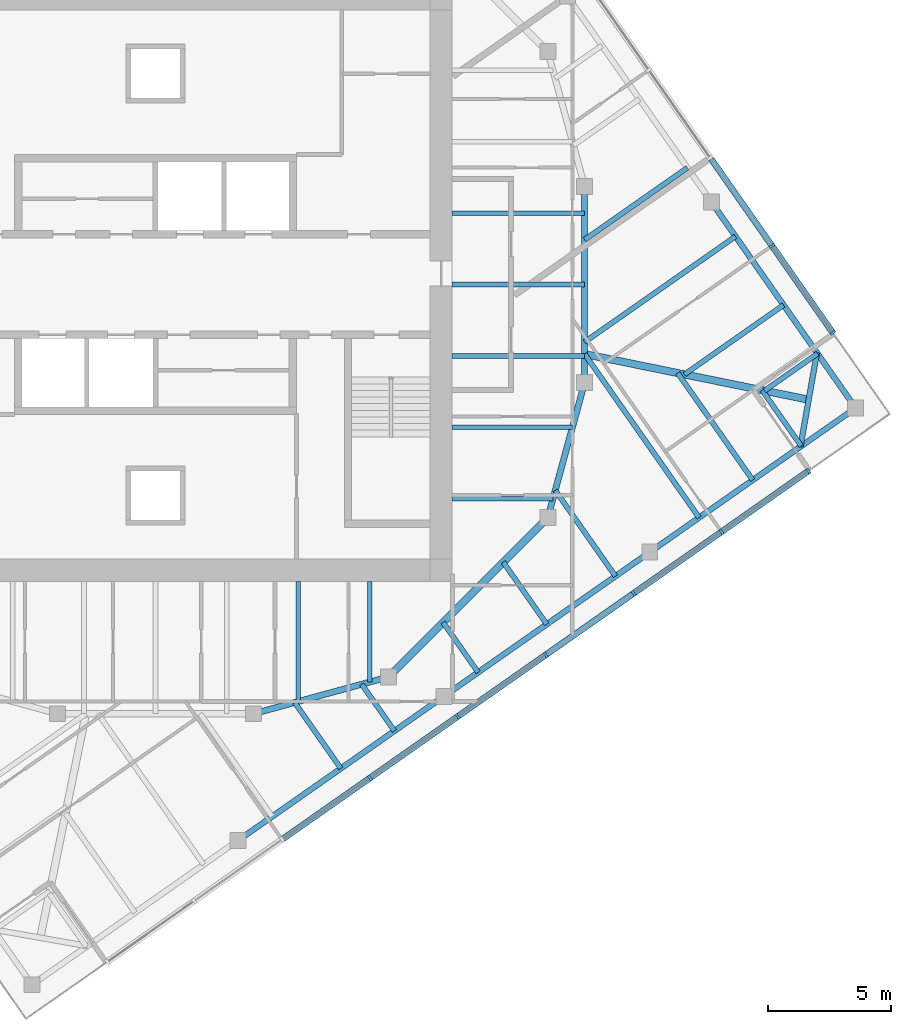
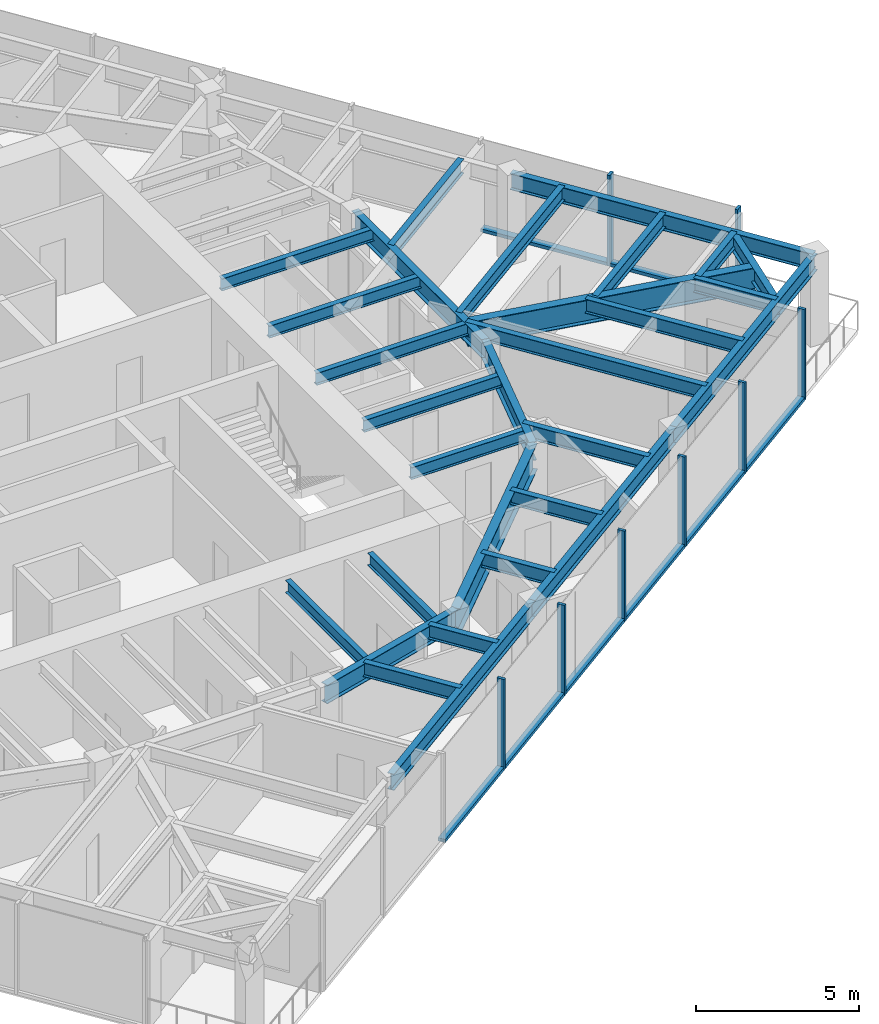
# One storey, part 3 of 12: 29 beams, 16 members, 2 elements without a shape of their own.
"""IFC4 building model written with IfcOpenShell, lengths in metres."""

from ifc_helpers import new_model, si_unit, direction, frame, origin, origin_2d, place, context, subcontext, project, spatial, rectangle, i_section, extrude, material, material_profile, profile_set, type_object, element, aggregate, save


model = new_model("IFC4")

# Units and contexts
model_context = context("Model", 3, precision=1e-05, world=origin(), true_north=direction((0.0, 1.0)))
body_context = subcontext(model_context, "Body", "Model", "MODEL_VIEW")
ifc_project = project(units=[si_unit("LENGTHUNIT", "METRE"), si_unit("AREAUNIT", "SQUARE_METRE"), si_unit("VOLUMEUNIT", "CUBIC_METRE"), si_unit("PLANEANGLEUNIT", "RADIAN"), si_unit("MASSUNIT", "GRAM", prefix="KILO")], contexts=[model_context])

# Site, building, storey
site_placement = place(None, origin())
site = spatial("IfcSite", under=ifc_project, at=site_placement, CompositionType="ELEMENT")
building_placement = place(site_placement, origin())
building = spatial("IfcBuilding", under=site, at=building_placement, Name="Torsade Residences", CompositionType="ELEMENT")
storey_placement = place(building_placement, frame((0.0, 0.0, 247.199951171875)))
storey = spatial("IfcBuildingStorey", under=building, at=storey_placement, Name="L68", CompositionType="ELEMENT", Elevation=247.199951171875)

# Beams
ifc_material_1 = material(Name="Steel grade 300", Category="steel")
ifc_material_profile_1 = material_profile(ifc_material_1, i_section(OverallWidth=0.300048828125, OverallDepth=0.89990234375, WebThickness=0.011962890625, FlangeThickness=0.02490234375, at=origin_2d()), Name="900WB175")
ifc_profile_set_1 = profile_set([ifc_material_profile_1], Name="Steel grade 300")
beam_type_1 = type_object("IfcBeamType", Name="CORNER GIRDER 900WB175", PredefinedType="BEAM", material=ifc_profile_set_1)
beam_1_placement = place(storey_placement, frame((66.635986328125, 25.303466796875, 2.800048828125), z_axis=(-0.979880626756, 0.199584461589, 0.0), x_axis=(-0.199584461589, -0.979880626756, 0.0)))
element("IfcBeam", 1, at=beam_1_placement, inside=storey, type_object=beam_type_1, Name="Corner girder 05 L69", PredefinedType="BEAM", context=body_context, shape_type="SweptSolid", body=[
    extrude(i_section(OverallWidth=0.300048828125, OverallDepth=0.89990234375, WebThickness=0.011962890625, FlangeThickness=0.02490234375, at=origin_2d()), origin(), (0.0, 0.0, 1.0), 9.323486328125),
])
ifc_material_2 = material(Name="Steel grade 300", Category="steel")
ifc_material_profile_2 = material_profile(ifc_material_2, i_section(OverallWidth=0.22802734375, OverallDepth=0.60205078125, WebThickness=0.010498046875, FlangeThickness=0.014892578125, FilletRadius=0.013916015625, at=origin_2d()), Name="610UB101")
ifc_profile_set_2 = profile_set([ifc_material_profile_2], Name="Steel grade 300")
beam_type_2 = type_object("IfcBeamType", Name="CORNER TRIMMER 610UB101", PredefinedType="BEAM", material=ifc_profile_set_2)
beam_2_placement = place(storey_placement, frame((66.9736328125, 27.21826171875, 2.948974609375), z_axis=(-0.173645660267, -0.984808196894, 0.0), x_axis=(0.984808196894, -0.173645660267, 0.0)))
element("IfcBeam", 2, at=beam_2_placement, inside=storey, type_object=beam_type_2, Name="Corner trimmer 05 L69", PredefinedType="BEAM", context=body_context, shape_type="SweptSolid", body=[
    extrude(i_section(OverallWidth=0.22802734375, OverallDepth=0.60205078125, WebThickness=0.010498046875, FlangeThickness=0.014892578125, FilletRadius=0.013916015625, at=origin_2d()), origin(), (0.0, 0.0, 1.0), 3.888916015625),
])
ifc_material_3 = material(Name="Steel grade 300", Category="steel")
ifc_material_profile_3 = material_profile(ifc_material_3, i_section(OverallWidth=0.22900390625, OverallDepth=0.612060546875, WebThickness=0.011962890625, FlangeThickness=0.01953125, FilletRadius=0.013916015625, at=origin_2d()), Name="610UB125")
ifc_profile_set_3 = profile_set([ifc_material_profile_3], Name="Steel grade 300")
beam_type_3 = type_object("IfcBeamType", Name="EDGE BEAM 610UB125", PredefinedType="SPANDREL", material=ifc_profile_set_3)
for number, where, z_axis, x_axis, name in (
    (3, (43.362060546875, 7.328125, 2.944091796875), (0.819150225126, 0.573579034377, 0.0), (-0.573579034377, 0.819150225126, 0.0), "Edge beam 02 L69"),
    (4, (51.75830078125, 13.207275390625, 2.944091796875), (0.819150225126, 0.573579034377, 0.0), (-0.573579034377, 0.819150225126, 0.0), "Edge beam 03 L69"),
):
    element("IfcBeam", number, at=place(storey_placement, frame(where, z_axis=z_axis, x_axis=x_axis)), inside=storey, type_object=beam_type_3, Name=name, PredefinedType="SPANDREL", context=body_context, shape_type="SweptSolid", body=[
        extrude(i_section(OverallWidth=0.22900390625, OverallDepth=0.612060546875, WebThickness=0.011962890625, FlangeThickness=0.01953125, FilletRadius=0.013916015625, at=origin_2d()), origin(), (0.0, 0.0, 1.0), 10.25),
    ])
beam_3_placement = place(storey_placement, frame((60.154541015625, 19.08642578125, 2.944091796875), z_axis=(0.819146870247, 0.573583825578, 0.0), x_axis=(-0.573583825578, 0.819146870247, 0.0)))
element("IfcBeam", 5, at=beam_3_placement, inside=storey, type_object=beam_type_3, Name="Edge beam 04 L69", PredefinedType="SPANDREL", context=body_context, shape_type="SweptSolid", body=[
    extrude(i_section(OverallWidth=0.22900390625, OverallDepth=0.612060546875, WebThickness=0.011962890625, FlangeThickness=0.01953125, FilletRadius=0.013916015625, at=origin_2d()), origin(), (0.0, 0.0, 1.0), 10.250244140625),
])
beam_4_placement = place(storey_placement, frame((68.551025390625, 24.9658203125, 2.944091796875), z_axis=(-0.573579034377, 0.819150225126, 0.0), x_axis=(-0.819150225126, -0.573579034377, 0.0)))
element("IfcBeam", 6, at=beam_4_placement, inside=storey, type_object=beam_type_3, Name="Edge beam 05 L69", PredefinedType="SPANDREL", context=body_context, shape_type="SweptSolid", body=[
    extrude(i_section(OverallWidth=0.22900390625, OverallDepth=0.612060546875, WebThickness=0.011962890625, FlangeThickness=0.01953125, FilletRadius=0.013916015625, at=origin_2d()), origin(), (0.0, 0.0, 1.0), 10.25),
])

# Curtain wall, members
ifc_material_4 = material(Name="Aluminium and glass", Category="aluminium")
curtain_wall_type = type_object("IfcCurtainWallType", Name="FRITTED GLASS CURTAIN WALL HIGH ZONE", PredefinedType="NOTDEFINED", material=ifc_material_4)
curtain_wall_1_placement = place(storey_placement, origin())
curtain_wall_1 = element("IfcCurtainWall", 7, at=curtain_wall_1_placement, inside=storey, type_object=curtain_wall_type, Name="Curtain wall L68 face 1", PredefinedType="NOTDEFINED")
ifc_material_5 = material(Name="Aluminium mullion", Category="aluminium")
ifc_material_profile_4 = material_profile(ifc_material_5, rectangle(XDim=0.25, YDim=0.10009765625, at=origin_2d()), Name="HIGH ZONE CURTAIN WALL MULLION 250x100")
ifc_profile_set_4 = profile_set([ifc_material_profile_4], Name="Aluminium mullion")
member_type_1 = type_object("IfcMemberType", Name="HIGH ZONE CURTAIN WALL MULLION 250x100", PredefinedType="MULLION", material=ifc_profile_set_4)
member_1_placement = place(storey_placement, frame((48.748046875, 9.87890625, 0.0), z_axis=(0.0, 0.0, 1.0), x_axis=(-0.573576457682, 0.819152029353, 0.0)))
member_1 = element("IfcMember", 8, at=member_1_placement, type_object=member_type_1, Name="Mullion 4", PredefinedType="MULLION", context=body_context, shape_type="SweptSolid", body=[
    extrude(rectangle(XDim=0.25, YDim=0.10009765625, at=origin_2d()), origin(), (0.0, 0.0, 1.0), 3.400146484375),
])
member_2_placement = place(storey_placement, frame((52.331787109375, 12.38818359375, 0.0), z_axis=(0.0, 0.0, 1.0), x_axis=(-0.573576457682, 0.819152029353, 0.0)))
member_2 = element("IfcMember", 9, at=member_2_placement, type_object=member_type_1, Name="Mullion 5", PredefinedType="MULLION", context=body_context, shape_type="SweptSolid", body=[
    extrude(rectangle(XDim=0.25, YDim=0.10009765625, at=origin_2d()), origin(), (0.0, 0.0, 1.0), 3.400146484375),
])
member_3_placement = place(storey_placement, frame((55.915771484375, 14.897705078125, 0.0), z_axis=(0.0, 0.0, 1.0), x_axis=(-0.573576457682, 0.819152029353, 0.0)))
member_3 = element("IfcMember", 10, at=member_3_placement, type_object=member_type_1, Name="Mullion 6", PredefinedType="MULLION", context=body_context, shape_type="SweptSolid", body=[
    extrude(rectangle(XDim=0.25, YDim=0.10009765625, at=origin_2d()), origin(), (0.0, 0.0, 1.0), 3.400146484375),
])
member_4_placement = place(storey_placement, frame((59.49951171875, 17.406982421875, 0.0), z_axis=(0.0, 0.0, 1.0), x_axis=(-0.573576457682, 0.819152029353, 0.0)))
member_4 = element("IfcMember", 11, at=member_4_placement, type_object=member_type_1, Name="Mullion 7", PredefinedType="MULLION", context=body_context, shape_type="SweptSolid", body=[
    extrude(rectangle(XDim=0.25, YDim=0.10009765625, at=origin_2d()), origin(), (0.0, 0.0, 1.0), 3.400146484375),
])
member_5_placement = place(storey_placement, frame((63.083251953125, 19.91650390625, 0.0), z_axis=(0.0, 0.0, 1.0), x_axis=(-0.573576457682, 0.819152029353, 0.0)))
member_5 = element("IfcMember", 12, at=member_5_placement, type_object=member_type_1, Name="Mullion 8", PredefinedType="MULLION", context=body_context, shape_type="SweptSolid", body=[
    extrude(rectangle(XDim=0.25, YDim=0.10009765625, at=origin_2d()), origin(), (0.0, 0.0, 1.0), 3.400146484375),
])
member_6_placement = place(storey_placement, frame((66.6259765625, 22.397216796875, 0.0), z_axis=(0.0, 0.0, 1.0), x_axis=(-0.573576457682, 0.819152029353, 0.0)))
member_6 = element("IfcMember", 13, at=member_6_placement, type_object=member_type_1, Name="Mullion 9", PredefinedType="MULLION", context=body_context, shape_type="SweptSolid", body=[
    extrude(rectangle(XDim=0.25, YDim=0.10009765625, at=origin_2d()), origin(), (0.0, 0.0, 1.0), 3.400146484375),
])

curtain_wall_2_placement = place(storey_placement, origin())
curtain_wall_2 = element("IfcCurtainWall", 14, at=curtain_wall_2_placement, inside=storey, type_object=curtain_wall_type, Name="Curtain wall L68 face 4", PredefinedType="NOTDEFINED")
member_7_placement = place(storey_placement, frame((67.62060546875, 28.03759765625, 0.0), z_axis=(0.0, 0.0, 1.0), x_axis=(-0.819152029353, -0.573576457682, 0.0)))
member_7 = element("IfcMember", 15, at=member_7_placement, type_object=member_type_1, Name="Mullion 1", PredefinedType="MULLION", context=body_context, shape_type="SweptSolid", body=[
    extrude(rectangle(XDim=0.25, YDim=0.10009765625, at=origin_2d()), origin(), (0.0, 0.0, 1.0), 3.400146484375),
])
member_8_placement = place(storey_placement, frame((65.139892578125, 31.58056640625, 0.0), z_axis=(0.0, 0.0, 1.0), x_axis=(-0.819152029353, -0.573576457682, 0.0)))
member_8 = element("IfcMember", 16, at=member_8_placement, type_object=member_type_1, Name="Mullion 2", PredefinedType="MULLION", context=body_context, shape_type="SweptSolid", body=[
    extrude(rectangle(XDim=0.25, YDim=0.10009765625, at=origin_2d()), origin(), (0.0, 0.0, 1.0), 3.400146484375),
])

# Member
ifc_material_6 = material(Name="Aluminium transom", Category="aluminium")
ifc_material_profile_5 = material_profile(ifc_material_6, rectangle(XDim=0.25, YDim=0.1201171875, at=origin_2d()), Name="HIGH ZONE CURTAIN WALL TRANSOM 250x120")
ifc_profile_set_5 = profile_set([ifc_material_profile_5], Name="Aluminium transom")
member_type_2 = type_object("IfcMemberType", Name="HIGH ZONE CURTAIN WALL TRANSOM 250x120", PredefinedType="USERDEFINED", material=ifc_profile_set_5)
member_9_placement = place(storey_placement, frame((45.205322265625, 7.398193359375, 0.06005859375), z_axis=(0.819154102984, 0.573573496219, 0.0), x_axis=(-0.573573496219, 0.819154102984, 0.0)))
member_9 = element("IfcMember", 17, at=member_9_placement, type_object=member_type_2, Name="Transom 3.1", ObjectType="TRANSOM", PredefinedType="USERDEFINED", context=body_context, shape_type="SweptSolid", body=[
    extrude(rectangle(XDim=0.25, YDim=0.1201171875, at=origin_2d()), origin(), (0.0, 0.0, 1.0), 4.27490234375),
])

member_10_placement = place(storey_placement, frame((48.7890625, 9.907470703125, 0.06005859375), z_axis=(0.819146058863, 0.57358498433, 0.0), x_axis=(-0.57358498433, 0.819146058863, 0.0)))
member_10 = element("IfcMember", 18, at=member_10_placement, type_object=member_type_2, Name="Transom 4.1", ObjectType="TRANSOM", PredefinedType="USERDEFINED", context=body_context, shape_type="SweptSolid", body=[
    extrude(rectangle(XDim=0.25, YDim=0.1201171875, at=origin_2d()), origin(), (0.0, 0.0, 1.0), 4.275146484375),
])

member_11_placement = place(storey_placement, frame((52.372802734375, 12.4169921875, 0.06005859375), z_axis=(0.81917289067, 0.573546663483, 0.0), x_axis=(-0.573546663483, 0.81917289067, 0.0)))
member_11 = element("IfcMember", 19, at=member_11_placement, type_object=member_type_2, Name="Transom 5.1", ObjectType="TRANSOM", PredefinedType="USERDEFINED", context=body_context, shape_type="SweptSolid", body=[
    extrude(rectangle(XDim=0.25, YDim=0.1201171875, at=origin_2d()), origin(), (0.0, 0.0, 1.0), 4.27490234375),
])

member_12_placement = place(storey_placement, frame((55.95654296875, 14.92626953125, 0.06005859375), z_axis=(0.819146058863, 0.57358498433, 0.0), x_axis=(-0.57358498433, 0.819146058863, 0.0)))
member_12 = element("IfcMember", 20, at=member_12_placement, type_object=member_type_2, Name="Transom 6.1", ObjectType="TRANSOM", PredefinedType="USERDEFINED", context=body_context, shape_type="SweptSolid", body=[
    extrude(rectangle(XDim=0.25, YDim=0.1201171875, at=origin_2d()), origin(), (0.0, 0.0, 1.0), 4.275146484375),
])

member_13_placement = place(storey_placement, frame((59.54052734375, 17.435791015625, 0.06005859375), z_axis=(0.819154102984, 0.573573496219, 0.0), x_axis=(-0.573573496219, 0.819154102984, 0.0)))
member_13 = element("IfcMember", 21, at=member_13_placement, type_object=member_type_2, Name="Transom 7.1", ObjectType="TRANSOM", PredefinedType="USERDEFINED", context=body_context, shape_type="SweptSolid", body=[
    extrude(rectangle(XDim=0.25, YDim=0.1201171875, at=origin_2d()), origin(), (0.0, 0.0, 1.0), 4.27490234375),
])

member_14_placement = place(storey_placement, frame((63.124267578125, 19.945068359375, 0.06005859375), z_axis=(0.819155901234, 0.573570928023, 0.0), x_axis=(-0.573570928023, 0.819155901234, 0.0)))
member_14 = element("IfcMember", 22, at=member_14_placement, type_object=member_type_2, Name="Transom 8.1", ObjectType="TRANSOM", PredefinedType="USERDEFINED", context=body_context, shape_type="SweptSolid", body=[
    extrude(rectangle(XDim=0.25, YDim=0.1201171875, at=origin_2d()), origin(), (0.0, 0.0, 1.0), 4.22509765625),
])

aggregate(curtain_wall_1, [member_1, member_2, member_3, member_4, member_5, member_6, member_9, member_10, member_11, member_12, member_13, member_14])

member_15_placement = place(storey_placement, frame((67.592041015625, 28.07861328125, 0.06005859375), z_axis=(-0.573570928023, 0.819155901234, 0.0), x_axis=(-0.819155901234, -0.573570928023, 0.0)))
member_15 = element("IfcMember", 23, at=member_15_placement, type_object=member_type_2, Name="Transom 1.1", ObjectType="TRANSOM", PredefinedType="USERDEFINED", context=body_context, shape_type="SweptSolid", body=[
    extrude(rectangle(XDim=0.25, YDim=0.1201171875, at=origin_2d()), origin(), (0.0, 0.0, 1.0), 4.22509765625),
])

member_16_placement = place(storey_placement, frame((65.111328125, 31.62158203125, 0.06005859375), z_axis=(-0.573611817101, 0.819127269283, 0.0), x_axis=(-0.819127269283, -0.573611817101, 0.0)))
member_16 = element("IfcMember", 24, at=member_16_placement, type_object=member_type_2, Name="Transom 2.1", ObjectType="TRANSOM", PredefinedType="USERDEFINED", context=body_context, shape_type="SweptSolid", body=[
    extrude(rectangle(XDim=0.25, YDim=0.1201171875, at=origin_2d()), origin(), (0.0, 0.0, 1.0), 4.27490234375),
])

aggregate(curtain_wall_2, [member_7, member_8, member_15, member_16])

# Beams
ifc_material_7 = material(Name="Steel grade 300", Category="steel")
ifc_material_profile_6 = material_profile(ifc_material_7, i_section(OverallWidth=0.18994140625, OverallDepth=0.4541015625, WebThickness=0.008544921875, FlangeThickness=0.0126953125, FilletRadius=0.011474609375, at=origin_2d()), Name="460UB67.1")
ifc_profile_set_6 = profile_set([ifc_material_profile_6], Name="Steel grade 300")
beam_type_4 = type_object("IfcBeamType", Name="INNER FLOOR BEAM 460UB67.1", PredefinedType="JOIST", material=ifc_profile_set_6)
beam_5_placement = place(storey_placement, frame((48.737548828125, 17.89990234375, 3.02294921875), z_axis=(0.0, -1.0, 0.0), x_axis=(1.0, 0.0, 0.0)))
element("IfcBeam", 25, at=beam_5_placement, inside=storey, type_object=beam_type_4, Name="Inner floor beam IS01 L69", PredefinedType="JOIST", context=body_context, shape_type="SweptSolid", body=[
    extrude(i_section(OverallWidth=0.18994140625, OverallDepth=0.4541015625, WebThickness=0.008544921875, FlangeThickness=0.0126953125, FilletRadius=0.011474609375, at=origin_2d()), origin(), (0.0, 0.0, 1.0), 4.10791015625),
])
beam_6_placement = place(storey_placement, frame((45.824951171875, 17.89990234375, 3.02294921875), z_axis=(0.0, -1.0, 0.0), x_axis=(1.0, 0.0, 0.0)))
element("IfcBeam", 26, at=beam_6_placement, inside=storey, type_object=beam_type_4, Name="Inner floor beam IS02 L69", PredefinedType="JOIST", context=body_context, shape_type="SweptSolid", body=[
    extrude(i_section(OverallWidth=0.18994140625, OverallDepth=0.4541015625, WebThickness=0.008544921875, FlangeThickness=0.0126953125, FilletRadius=0.011474609375, at=origin_2d()), origin(), (0.0, 0.0, 1.0), 4.902099609375),
])
beam_7_placement = place(storey_placement, frame((52.10009765625, 21.262451171875, 3.02294921875), z_axis=(1.0, 0.0, 0.0), x_axis=(0.0, 1.0, 0.0)))
element("IfcBeam", 27, at=beam_7_placement, inside=storey, type_object=beam_type_4, Name="Inner floor beam IE01 L69", PredefinedType="JOIST", context=body_context, shape_type="SweptSolid", body=[
    extrude(i_section(OverallWidth=0.18994140625, OverallDepth=0.4541015625, WebThickness=0.008544921875, FlangeThickness=0.0126953125, FilletRadius=0.011474609375, at=origin_2d()), origin(), (0.0, 0.0, 1.0), 4.10791015625),
])
beam_8_placement = place(storey_placement, frame((52.10009765625, 24.175048828125, 3.02294921875), z_axis=(1.0, 0.0, 0.0), x_axis=(0.0, 1.0, 0.0)))
element("IfcBeam", 28, at=beam_8_placement, inside=storey, type_object=beam_type_4, Name="Inner floor beam IE02 L69", PredefinedType="JOIST", context=body_context, shape_type="SweptSolid", body=[
    extrude(i_section(OverallWidth=0.18994140625, OverallDepth=0.4541015625, WebThickness=0.008544921875, FlangeThickness=0.0126953125, FilletRadius=0.011474609375, at=origin_2d()), origin(), (0.0, 0.0, 1.0), 4.902099609375),
])
for number, where, z_axis, x_axis, name in (
    (29, (52.10009765625, 27.08740234375, 3.02294921875), (1.0, 0.0, 0.0), (0.0, 1.0, 0.0), "Inner floor beam IE03 L69"),
    (30, (52.10009765625, 30.0, 3.02294921875), (1.0, 0.0, 0.0), (0.0, 1.0, 0.0), "Inner floor beam IE04 L69"),
    (31, (52.10009765625, 32.91259765625, 3.02294921875), (1.0, 0.0, 0.0), (0.0, 1.0, 0.0), "Inner floor beam IE05 L69"),
):
    element("IfcBeam", number, at=place(storey_placement, frame(where, z_axis=z_axis, x_axis=x_axis)), inside=storey, type_object=beam_type_4, Name=name, PredefinedType="JOIST", context=body_context, shape_type="SweptSolid", body=[
        extrude(i_section(OverallWidth=0.18994140625, OverallDepth=0.4541015625, WebThickness=0.008544921875, FlangeThickness=0.0126953125, FilletRadius=0.011474609375, at=origin_2d()), origin(), (0.0, 0.0, 1.0), 5.39990234375),
    ])
ifc_material_8 = material(Name="Steel grade 300", Category="steel")
ifc_material_profile_7 = material_profile(ifc_material_8, i_section(OverallWidth=0.300048828125, OverallDepth=1.0, WebThickness=0.01611328125, FlangeThickness=0.028076171875, at=origin_2d()), Name="1000WB215")
ifc_profile_set_7 = profile_set([ifc_material_profile_7], Name="Steel grade 300")
beam_type_5 = type_object("IfcBeamType", Name="RING CORNER GIRDER 1000WB215", PredefinedType="BEAM", material=ifc_profile_set_7)
beam_9_placement = place(storey_placement, frame((49.5, 14.0, 2.75), z_axis=(0.707106781187, 0.707106781187, 0.0), x_axis=(-0.707106781187, 0.707106781187, 0.0)))
element("IfcBeam", 32, at=beam_9_placement, inside=storey, type_object=beam_type_5, Name="Ring girder IR15 L69", PredefinedType="BEAM", context=body_context, shape_type="SweptSolid", body=[
    extrude(i_section(OverallWidth=0.300048828125, OverallDepth=1.0, WebThickness=0.01611328125, FlangeThickness=0.028076171875, at=origin_2d()), origin(), (0.0, 0.0, 1.0), 9.1923828125),
])
ifc_material_9 = material(Name="Steel grade 300", Category="steel")
ifc_material_profile_8 = material_profile(ifc_material_9, i_section(OverallWidth=0.25, OverallDepth=0.699951171875, WebThickness=0.010009765625, FlangeThickness=0.02001953125, at=origin_2d()), Name="700WB130")
ifc_profile_set_8 = profile_set([ifc_material_profile_8], Name="Steel grade 300")
beam_type_6 = type_object("IfcBeamType", Name="RING GIRDER 700WB130", PredefinedType="BEAM", material=ifc_profile_set_8)
beam_10_placement = place(storey_placement, frame((57.5, 26.0, 2.900146484375), z_axis=(0.0, 1.0, 0.0), x_axis=(-1.0, 0.0, 0.0)))
element("IfcBeam", 33, at=beam_10_placement, inside=storey, type_object=beam_type_6, Name="Ring girder IR01 L69", PredefinedType="BEAM", context=body_context, shape_type="SweptSolid", body=[
    extrude(i_section(OverallWidth=0.25, OverallDepth=0.699951171875, WebThickness=0.010009765625, FlangeThickness=0.02001953125, at=origin_2d()), origin(), (0.0, 0.0, 1.0), 8.0),
])
for number, where, z_axis, x_axis, name in (
    (34, (44.0, 12.5, 2.900146484375), (0.964763821238, 0.263117405792, 0.0), (-0.263117405792, 0.964763821238, 0.0), "Ring girder IR14 L69"),
    (35, (56.0, 20.5, 2.900146484375), (0.263117405792, 0.964763821238, 0.0), (-0.964763821238, 0.263117405792, 0.0), "Ring girder IR16 L69"),
):
    element("IfcBeam", number, at=place(storey_placement, frame(where, z_axis=z_axis, x_axis=x_axis)), inside=storey, type_object=beam_type_6, Name=name, PredefinedType="BEAM", context=body_context, shape_type="SweptSolid", body=[
        extrude(i_section(OverallWidth=0.25, OverallDepth=0.699951171875, WebThickness=0.010009765625, FlangeThickness=0.02001953125, at=origin_2d()), origin(), (0.0, 0.0, 1.0), 5.700927734375),
    ])
ifc_material_10 = material(Name="Steel grade 300", Category="steel")
ifc_material_profile_9 = material_profile(ifc_material_10, i_section(OverallWidth=0.208984375, OverallDepth=0.532958984375, WebThickness=0.01025390625, FlangeThickness=0.015625, FilletRadius=0.013916015625, at=origin_2d()), Name="530UB92.4")
ifc_profile_set_9 = profile_set([ifc_material_profile_9], Name="Steel grade 300")
beam_type_7 = type_object("IfcBeamType", Name="SECONDARY BEAM 530UB92.4", PredefinedType="JOIST", material=ifc_profile_set_9)
beam_11_placement = place(storey_placement, frame((47.56005859375, 10.267822265625, 2.983642578125), z_axis=(-0.573552173902, 0.819169032504, 0.0), x_axis=(-0.819169032504, -0.573552173902, 0.0)))
element("IfcBeam", 36, at=beam_11_placement, inside=storey, type_object=beam_type_7, Name="Floor beam FS05 L69", PredefinedType="JOIST", context=body_context, shape_type="SweptSolid", body=[
    extrude(i_section(OverallWidth=0.208984375, OverallDepth=0.532958984375, WebThickness=0.01025390625, FlangeThickness=0.015625, FilletRadius=0.013916015625, at=origin_2d()), origin(), (0.0, 0.0, 1.0), 3.283203125),
])
beam_12_placement = place(storey_placement, frame((49.74462890625, 11.79736328125, 2.983642578125), z_axis=(-0.573567996949, 0.819157953557, 0.0), x_axis=(-0.819157953557, -0.573567996949, 0.0)))
element("IfcBeam", 37, at=beam_12_placement, inside=storey, type_object=beam_type_7, Name="Floor beam FS06 L69", PredefinedType="JOIST", context=body_context, shape_type="SweptSolid", body=[
    extrude(i_section(OverallWidth=0.208984375, OverallDepth=0.532958984375, WebThickness=0.01025390625, FlangeThickness=0.015625, FilletRadius=0.013916015625, at=origin_2d()), origin(), (0.0, 0.0, 1.0), 2.326171875),
])
beam_13_placement = place(storey_placement, frame((53.15771484375, 14.187255859375, 2.983642578125), z_axis=(-0.573547823109, 0.819172078752, 0.0), x_axis=(-0.819172078752, -0.573547823109, 0.0)))
element("IfcBeam", 38, at=beam_13_placement, inside=storey, type_object=beam_type_7, Name="Floor beam FS07 L69", PredefinedType="JOIST", context=body_context, shape_type="SweptSolid", body=[
    extrude(i_section(OverallWidth=0.208984375, OverallDepth=0.532958984375, WebThickness=0.01025390625, FlangeThickness=0.015625, FilletRadius=0.013916015625, at=origin_2d()), origin(), (0.0, 0.0, 1.0), 2.491943359375),
])
beam_14_placement = place(storey_placement, frame((55.95654296875, 16.14697265625, 2.983642578125), z_axis=(-0.573600013401, 0.819135534955, 0.0), x_axis=(-0.819135534955, -0.573600013401, 0.0)))
element("IfcBeam", 39, at=beam_14_placement, inside=storey, type_object=beam_type_7, Name="Floor beam FS08 L69", PredefinedType="JOIST", context=body_context, shape_type="SweptSolid", body=[
    extrude(i_section(OverallWidth=0.208984375, OverallDepth=0.532958984375, WebThickness=0.01025390625, FlangeThickness=0.015625, FilletRadius=0.013916015625, at=origin_2d()), origin(), (0.0, 0.0, 1.0), 3.09423828125),
])
beam_15_placement = place(storey_placement, frame((58.755126953125, 18.106689453125, 2.983642578125), z_axis=(-0.573581127575, 0.819148759439, 0.0), x_axis=(-0.819148759439, -0.573581127575, 0.0)))
element("IfcBeam", 40, at=beam_15_placement, inside=storey, type_object=beam_type_7, Name="Floor beam FS09 L69", PredefinedType="JOIST", context=body_context, shape_type="SweptSolid", body=[
    extrude(i_section(OverallWidth=0.208984375, OverallDepth=0.532958984375, WebThickness=0.01025390625, FlangeThickness=0.015625, FilletRadius=0.013916015625, at=origin_2d()), origin(), (0.0, 0.0, 1.0), 4.276123046875),
])
beam_16_placement = place(storey_placement, frame((62.16845703125, 20.49658203125, 2.983642578125), z_axis=(-0.573577087251, 0.819151588523, 0.0), x_axis=(-0.819151588523, -0.573577087251, 0.0)))
element("IfcBeam", 41, at=beam_16_placement, inside=storey, type_object=beam_type_7, Name="Floor beam FS10 L69", PredefinedType="JOIST", context=body_context, shape_type="SweptSolid", body=[
    extrude(i_section(OverallWidth=0.208984375, OverallDepth=0.532958984375, WebThickness=0.01025390625, FlangeThickness=0.015625, FilletRadius=0.013916015625, at=origin_2d()), origin(), (0.0, 0.0, 1.0), 8.13916015625),
])
beam_17_placement = place(storey_placement, frame((64.352783203125, 22.026123046875, 2.983642578125), z_axis=(-0.573597638513, 0.819137197966, 0.0), x_axis=(-0.819137197966, -0.573597638513, 0.0)))
element("IfcBeam", 42, at=beam_17_placement, inside=storey, type_object=beam_type_7, Name="Floor beam FS11 L69", PredefinedType="JOIST", context=body_context, shape_type="SweptSolid", body=[
    extrude(i_section(OverallWidth=0.208984375, OverallDepth=0.532958984375, WebThickness=0.01025390625, FlangeThickness=0.015625, FilletRadius=0.013916015625, at=origin_2d()), origin(), (0.0, 0.0, 1.0), 5.328369140625),
])
beam_18_placement = place(storey_placement, frame((66.332275390625, 23.412353515625, 2.983642578125), z_axis=(-0.573521270253, 0.819190669238, 0.0), x_axis=(-0.819190669238, -0.573521270253, 0.0)))
element("IfcBeam", 43, at=beam_18_placement, inside=storey, type_object=beam_type_7, Name="Floor beam FS12 L69", PredefinedType="JOIST", context=body_context, shape_type="SweptSolid", body=[
    extrude(i_section(OverallWidth=0.208984375, OverallDepth=0.532958984375, WebThickness=0.01025390625, FlangeThickness=0.015625, FilletRadius=0.013916015625, at=origin_2d()), origin(), (0.0, 0.0, 1.0), 2.780517578125),
])
beam_19_placement = place(storey_placement, frame((66.99755859375, 27.184326171875, 2.983642578125), z_axis=(-0.819140666445, -0.573592685254, 0.0), x_axis=(0.573592685254, -0.819140666445, 0.0)))
element("IfcBeam", 44, at=beam_19_placement, inside=storey, type_object=beam_type_7, Name="Floor beam FE01 L69", PredefinedType="JOIST", context=body_context, shape_type="SweptSolid", body=[
    extrude(i_section(OverallWidth=0.208984375, OverallDepth=0.532958984375, WebThickness=0.01025390625, FlangeThickness=0.015625, FilletRadius=0.013916015625, at=origin_2d()), origin(), (0.0, 0.0, 1.0), 2.639892578125),
])
beam_20_placement = place(storey_placement, frame((65.611328125, 29.163818359375, 2.983642578125), z_axis=(-0.819152843027, -0.573575295634, 0.0), x_axis=(0.573575295634, -0.819152843027, 0.0)))
element("IfcBeam", 45, at=beam_20_placement, inside=storey, type_object=beam_type_7, Name="Floor beam FE02 L69", PredefinedType="JOIST", context=body_context, shape_type="SweptSolid", body=[
    extrude(i_section(OverallWidth=0.208984375, OverallDepth=0.532958984375, WebThickness=0.01025390625, FlangeThickness=0.015625, FilletRadius=0.013916015625, at=origin_2d()), origin(), (0.0, 0.0, 1.0), 4.931884765625),
])
beam_21_placement = place(storey_placement, frame((63.651611328125, 31.962646484375, 2.983642578125), z_axis=(-0.819154019917, -0.573573614851, 0.0), x_axis=(0.573573614851, -0.819154019917, 0.0)))
element("IfcBeam", 46, at=beam_21_placement, inside=storey, type_object=beam_type_7, Name="Floor beam FE03 L69", PredefinedType="JOIST", context=body_context, shape_type="SweptSolid", body=[
    extrude(i_section(OverallWidth=0.208984375, OverallDepth=0.532958984375, WebThickness=0.01025390625, FlangeThickness=0.015625, FilletRadius=0.013916015625, at=origin_2d()), origin(), (0.0, 0.0, 1.0), 7.509765625),
])
beam_22_placement = place(storey_placement, frame((61.69189453125, 34.761474609375, 2.983642578125), z_axis=(-0.819142258339, -0.573590411882, 0.0), x_axis=(0.573590411882, -0.819142258339, 0.0)))
element("IfcBeam", 47, at=beam_22_placement, inside=storey, type_object=beam_type_7, Name="Floor beam FE04 L69", PredefinedType="JOIST", context=body_context, shape_type="SweptSolid", body=[
    extrude(i_section(OverallWidth=0.208984375, OverallDepth=0.532958984375, WebThickness=0.01025390625, FlangeThickness=0.015625, FilletRadius=0.013916015625, at=origin_2d()), origin(), (0.0, 0.0, 1.0), 5.117431640625),
])

save(model, "model.ifc")
